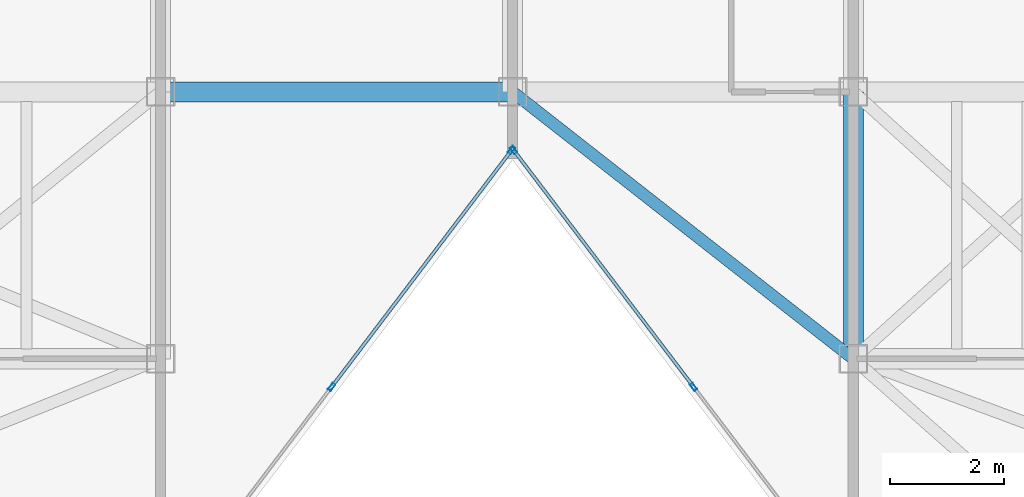
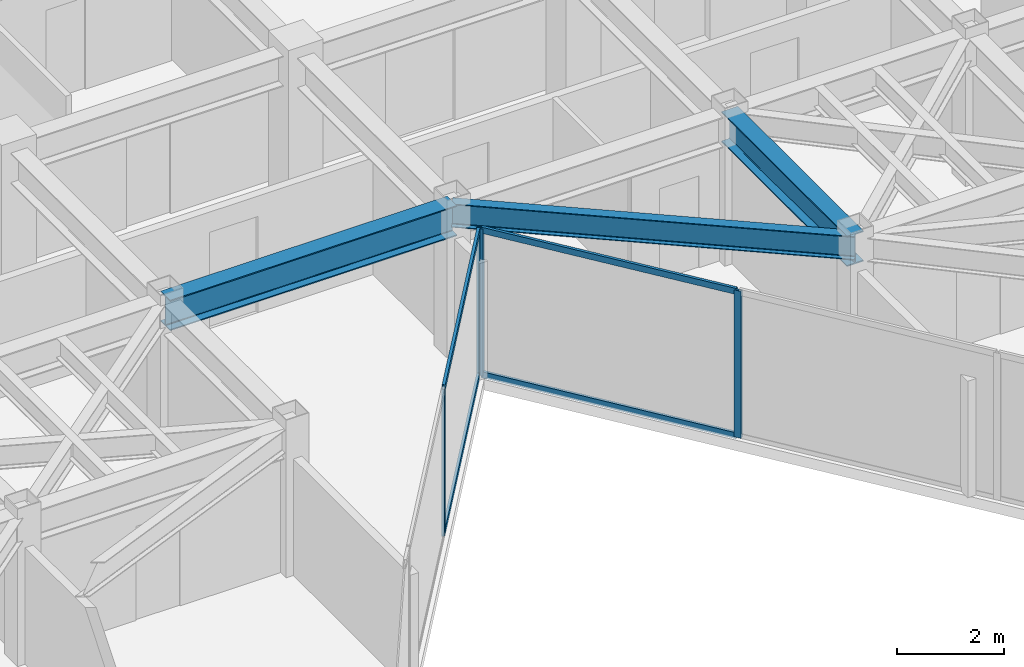
# One storey, part 8 of 20: 8 members, 3 beams, 2 elements without a shape of their own.
"""IFC4 building model written with IfcOpenShell, lengths in metres."""

import ifcopenshell
import ifcopenshell.guid

model = None  # the IFC model being written
_history = None  # IfcOwnerHistory: only IFC2X3 demands one
_inside = {}  # id of a spatial element -> (the spatial element, [elements in it])
_under = {}  # id of a project, library or spatial element -> (it, [spatial elements below it])
_declared = {}  # id of a project -> (the project, [libraries it declares])
_typed = {}  # id of a type object -> (the type object, [elements of that type])
_made_of = {}  # id of a material, layer set ... -> (it, [elements and type objects made of it])


def new_model(schema):
    """Start an empty IFC model of exactly this schema.

    Asked for "IFC4X3", IfcOpenShell would pick the latest addendum, in which some entities
    have other attributes; the version numbers below select the first issue.
    IFC2X3 requires an IfcOwnerHistory on every rooted entity: one is made here for all.
    """
    global model, _history
    if schema == "IFC4X3":
        model = ifcopenshell.file(schema_version=(4, 3, 0, 0))
    else:
        model = ifcopenshell.file(schema=schema)
    _inside.clear()
    _under.clear()
    _declared.clear()
    _typed.clear()
    _made_of.clear()
    _history = None
    if model.schema == "IFC2X3":
        org = make("IfcOrganization", Name="unknown")
        user = make(
            "IfcPersonAndOrganization",
            ThePerson=make("IfcPerson", FamilyName="unknown"),
            TheOrganization=org,
        )
        app = make(
            "IfcApplication",
            ApplicationDeveloper=org,
            Version="unknown",
            ApplicationFullName="unknown",
            ApplicationIdentifier="unknown",
        )
        _history = make(
            "IfcOwnerHistory",
            OwningUser=user,
            OwningApplication=app,
            ChangeAction="ADDED",
            CreationDate=0,
        )
    return model


def make(cls, **values):
    """One entity of the class cls with the attributes given. An attribute that is None is left unset."""
    return model.create_entity(
        cls, **{name: value for name, value in values.items() if value is not None}
    )


def rooted(cls, **values):
    """An entity with a GlobalId (a new one), such as an element, a storey or a relation."""
    return make(cls, GlobalId=ifcopenshell.guid.new(), OwnerHistory=_history, **values)


def si_unit(unit_type, name, prefix=None):
    """IfcSIUnit, for example si_unit("LENGTHUNIT", "METRE", prefix="MILLI")."""
    return make("IfcSIUnit", UnitType=unit_type, Prefix=prefix, Name=name)


def assignment(units):
    """IfcUnitAssignment: the units of a project."""
    return None if units is None else make("IfcUnitAssignment", Units=units)


def point(xyz):
    """IfcCartesianPoint."""
    return None if xyz is None else make("IfcCartesianPoint", Coordinates=xyz)


def direction(xyz):
    """IfcDirection."""
    return None if xyz is None else make("IfcDirection", DirectionRatios=xyz)


def frame(location, z_axis=None, x_axis=None):
    """IfcAxis2Placement3D, a coordinate frame: its origin and axes. An axis left out is left unset."""
    return make(
        "IfcAxis2Placement3D",
        Location=point(location),
        Axis=direction(z_axis),
        RefDirection=direction(x_axis),
    )


def frame_2d(location, x_axis=None):
    """IfcAxis2Placement2D, a coordinate frame in the plane: its origin and x axis."""
    return make(
        "IfcAxis2Placement2D", Location=point(location), RefDirection=direction(x_axis)
    )


def origin():
    """The frame at (0, 0, 0) with its axes left unset."""
    return frame((0.0, 0.0, 0.0))


def origin_2d():
    """The frame at (0, 0) in the plane with its x axis left unset."""
    return frame_2d((0.0, 0.0))


def place(relative_to, where):
    """IfcLocalPlacement: puts the frame where relative to a parent placement (None: the world)."""
    return make(
        "IfcLocalPlacement", PlacementRelTo=relative_to, RelativePlacement=where
    )


def context(
    kind, dimensions, precision=None, world=None, true_north=None, identifier=None
):
    """IfcGeometricRepresentationContext, for example the 3D "Model" context."""
    return make(
        "IfcGeometricRepresentationContext",
        ContextIdentifier=identifier,
        ContextType=kind,
        CoordinateSpaceDimension=dimensions,
        Precision=precision,
        WorldCoordinateSystem=world,
        TrueNorth=true_north,
    )


def subcontext(parent, identifier, kind, view, scale=None):
    """IfcGeometricRepresentationSubContext, for example "Body" below "Model"."""
    return make(
        "IfcGeometricRepresentationSubContext",
        ContextIdentifier=identifier,
        ContextType=kind,
        ParentContext=parent,
        TargetScale=scale,
        TargetView=view,
    )


def project(units=None, contexts=None):
    """IfcProject with its units and contexts."""
    return rooted(
        "IfcProject",
        Name="project",
        RepresentationContexts=contexts,
        UnitsInContext=assignment(units),
    )


def spatial(cls, under=None, at=None, **own):
    """A site, building, storey or space (cls), placed at a placement, below another one or the project."""
    s = rooted(cls, ObjectPlacement=at, **own)
    if under is not None:
        _under.setdefault(under.id(), (under, []))[1].append(s)
    return s


def profile(cls, at=None, kind="AREA", **sizes):
    """A parametric profile (cls). Its sizes go by their IFC names, for example OverallWidth=200.0."""
    return make(cls, ProfileType=kind, Position=at, **sizes)


def hollow_rectangle(**sizes):
    """IfcRectangleHollowProfileDef."""
    return profile("IfcRectangleHollowProfileDef", **sizes)


def i_section(**sizes):
    """IfcIShapeProfileDef."""
    return profile("IfcIShapeProfileDef", **sizes)


def extrude(swept, where, along, depth):
    """IfcExtrudedAreaSolid: the profile swept, set in the frame where, extruded along a direction by depth."""
    return make(
        "IfcExtrudedAreaSolid",
        SweptArea=swept,
        Position=where,
        ExtrudedDirection=direction(along),
        Depth=depth,
    )


def shape(context_of_items, identifier, shape_type, items):
    """IfcShapeRepresentation: the items that make up one representation, for example the "Body"."""
    return make(
        "IfcShapeRepresentation",
        ContextOfItems=context_of_items,
        RepresentationIdentifier=identifier,
        RepresentationType=shape_type,
        Items=items,
    )


def material(Name=None, Category=None):
    """IfcMaterial."""
    return make("IfcMaterial", Name=Name, Category=Category)


def layer(
    of_material, thickness, ventilated=None, Name=None, Category=None, Priority=None
):
    """IfcMaterialLayer: one layer of a wall or slab, of a material (None: an air gap)."""
    return make(
        "IfcMaterialLayer",
        Material=of_material,
        LayerThickness=thickness,
        IsVentilated=ventilated,
        Name=Name,
        Category=Category,
        Priority=Priority,
    )


def layer_set(layers, Name=None):
    """IfcMaterialLayerSet."""
    return make("IfcMaterialLayerSet", MaterialLayers=layers, LayerSetName=Name)


def material_profile(
    of_material, cross_section, Name=None, Category=None, Priority=None
):
    """IfcMaterialProfile: a cross section and its material."""
    return make(
        "IfcMaterialProfile",
        Name=Name,
        Material=of_material,
        Profile=cross_section,
        Priority=Priority,
        Category=Category,
    )


def profile_set(profiles, Name=None, composite=None):
    """IfcMaterialProfileSet."""
    return make(
        "IfcMaterialProfileSet",
        Name=Name,
        MaterialProfiles=profiles,
        CompositeProfile=composite,
    )


def made_of(thing, what):
    """Note that an element or type object is made of a material, layer set ...; save() writes the relation."""
    if what is not None:
        _made_of.setdefault(what.id(), (what, []))[1].append(thing)
    return thing


def type_object(cls, material=None, **own):
    """A type object (cls), such as IfcWallType, which elements share."""
    return made_of(rooted(cls, **own), material)


def element(
    cls,
    number,
    at=None,
    inside=None,
    cuts=None,
    type_object=None,
    material=None,
    context=None,
    identifier="Body",
    shape_type=None,
    held_by="IfcProductDefinitionShape",
    body=None,
    shapes=None,
    **own,
):
    """One element of the class cls, such as IfcWall. Its Tag is "e" and its number.

    at: its placement. inside: the storey or other place that contains it. cuts: it is an
    opening in that element (IfcRelVoidsElement). A single representation is given by context,
    identifier, shape_type and body (its items); several are given by shapes. held_by: the class
    of the entity that holds the representations. save() writes the other relations.
    """
    e = rooted(cls, Tag="e%d" % number, ObjectPlacement=at, **own)
    if body is not None:
        shapes = [shape(context, identifier, shape_type, body)]
    if shapes is not None:
        e.Representation = make(held_by, Representations=shapes)
    if inside is not None:
        _inside.setdefault(inside.id(), (inside, []))[1].append(e)
    if cuts is not None:
        rooted(
            "IfcRelVoidsElement", RelatingBuildingElement=cuts, RelatedOpeningElement=e
        )
    if type_object is not None:
        _typed.setdefault(type_object.id(), (type_object, []))[1].append(e)
    return made_of(e, material)


def aggregate(whole, parts):
    """IfcRelAggregates: a whole, such as a stair, and the parts it consists of."""
    return rooted("IfcRelAggregates", RelatingObject=whole, RelatedObjects=parts)


def save(model, path):
    """Write the relations noted so far, then the file.

    IfcRelAggregates (storeys below a building ...), IfcRelContainedInSpatialStructure (elements
    in a storey), IfcRelDefinesByType, IfcRelAssociatesMaterial and IfcRelDeclares: one each for
    every whole, place, type object, material and project.
    """
    for whole, parts in _under.values():
        aggregate(whole, parts)
    for where, things in _inside.values():
        rooted(
            "IfcRelContainedInSpatialStructure",
            RelatedElements=things,
            RelatingStructure=where,
        )
    for kind, things in _typed.values():
        rooted("IfcRelDefinesByType", RelatedObjects=things, RelatingType=kind)
    for what, things in _made_of.values():
        rooted("IfcRelAssociatesMaterial", RelatedObjects=things, RelatingMaterial=what)
    for by, libraries in _declared.values():
        rooted("IfcRelDeclares", RelatingContext=by, RelatedDefinitions=libraries)
    model.write(path)


model = new_model("IFC4")

# Units and contexts
model_context = context("Model", 3, precision=1e-05, world=origin(), true_north=direction((0.0, 1.0)))
body_context = subcontext(model_context, "Body", "Model", "MODEL_VIEW")
ifc_project = project(units=[si_unit("LENGTHUNIT", "METRE"), si_unit("AREAUNIT", "SQUARE_METRE"), si_unit("VOLUMEUNIT", "CUBIC_METRE"), si_unit("PLANEANGLEUNIT", "RADIAN"), si_unit("MASSUNIT", "GRAM", prefix="KILO")], contexts=[model_context])

# Site, building, storey
site_placement = place(None, origin())
site = spatial("IfcSite", under=ifc_project, at=site_placement, CompositionType="ELEMENT")
building_placement = place(site_placement, origin())
building = spatial("IfcBuilding", under=site, at=building_placement, Name="Kravanh Interchange Tower", CompositionType="ELEMENT")
storey_placement = place(building_placement, frame((0.0, 0.0, 252.60009765625)))
storey = spatial("IfcBuildingStorey", under=building, at=storey_placement, Name="L61", CompositionType="ELEMENT", Elevation=252.60009765625)

# Curtain wall, members
ifc_material_1 = material(Name="Anodised Bronze Aluminium", Category="aluminium")
ifc_layer = layer(ifc_material_1, 0.179931640625)
ifc_layer_set = layer_set([ifc_layer], Name="Unitised Curtain Wall System CW-HTL Luxury Hotel")
curtain_wall_type = type_object("IfcCurtainWallType", Name="Unitised Curtain Wall System CW-HTL Luxury Hotel", PredefinedType="NOTDEFINED", material=ifc_layer_set)
curtain_wall_1_placement = place(storey_placement, origin())
curtain_wall_1 = element("IfcCurtainWall", 1, at=curtain_wall_1_placement, inside=storey, type_object=curtain_wall_type, Name="L61 Unitised Curtain Wall CW-L61-04", PredefinedType="NOTDEFINED")
ifc_material_2 = material(Name="Anodised Bronze Aluminium", Category="aluminium")
ifc_material_profile_1 = material_profile(ifc_material_2, hollow_rectangle(XDim=0.06005859375, YDim=0.139892578125, WallThickness=0.00390625, at=origin_2d()), Name="ALU60X140X4")
ifc_profile_set_1 = profile_set([ifc_material_profile_1], Name="Anodised Bronze Aluminium")
member_type_1 = type_object("IfcMemberType", Name="Curtain Wall Mullion ALU60X140X4 Bronze", PredefinedType="MULLION", material=ifc_profile_set_1)
member_1_placement = place(storey_placement, frame((47.986572265625, 26.305419921875, 0.0), z_axis=(0.0, 0.0, 1.0), x_axis=(-0.79616243806, -0.605082946564, 0.0)))
member_1 = element("IfcMember", 2, at=member_1_placement, type_object=member_type_1, Name="CW-HTL mullion 3", PredefinedType="MULLION", context=body_context, shape_type="SweptSolid", body=[
    extrude(hollow_rectangle(XDim=0.06005859375, YDim=0.139892578125, WallThickness=0.00390625, at=origin_2d()), origin(), (0.0, 0.0, 1.0), 3.35986328125),
])
member_2_placement = place(storey_placement, frame((44.818115234375, 30.474365234375, 0.0), z_axis=(0.0, 0.0, 1.0), x_axis=(-0.79616243806, -0.605082946564, 0.0)))
member_2 = element("IfcMember", 3, at=member_2_placement, type_object=member_type_1, Name="CW-HTL mullion 4", PredefinedType="MULLION", context=body_context, shape_type="SweptSolid", body=[
    extrude(hollow_rectangle(XDim=0.06005859375, YDim=0.139892578125, WallThickness=0.00390625, at=origin_2d()), origin(), (0.0, 0.0, 1.0), 3.35986328125),
])

curtain_wall_2_placement = place(storey_placement, origin())
curtain_wall_2 = element("IfcCurtainWall", 4, at=curtain_wall_2_placement, inside=storey, type_object=curtain_wall_type, Name="L61 Unitised Curtain Wall CW-L61-05", PredefinedType="NOTDEFINED")
member_3_placement = place(storey_placement, frame((44.78173828125, 30.474365234375, 0.0), z_axis=(0.0, 0.0, 1.0), x_axis=(0.79616243806, -0.605082946564, 0.0)))
member_3 = element("IfcMember", 5, at=member_3_placement, type_object=member_type_1, Name="CW-HTL mullion 1", PredefinedType="MULLION", context=body_context, shape_type="SweptSolid", body=[
    extrude(hollow_rectangle(XDim=0.06005859375, YDim=0.139892578125, WallThickness=0.00390625, at=origin_2d()), origin(), (0.0, 0.0, 1.0), 3.35986328125),
])
member_4_placement = place(storey_placement, frame((41.613525390625, 26.305419921875, 0.0), z_axis=(0.0, 0.0, 1.0), x_axis=(0.79616243806, -0.605082946564, 0.0)))
member_4 = element("IfcMember", 6, at=member_4_placement, type_object=member_type_1, Name="CW-HTL mullion 2", PredefinedType="MULLION", context=body_context, shape_type="SweptSolid", body=[
    extrude(hollow_rectangle(XDim=0.06005859375, YDim=0.139892578125, WallThickness=0.00390625, at=origin_2d()), origin(), (0.0, 0.0, 1.0), 3.35986328125),
])

# Member
ifc_material_3 = material(Name="Anodised Bronze Aluminium", Category="aluminium")
ifc_material_profile_2 = material_profile(ifc_material_3, hollow_rectangle(XDim=0.06005859375, YDim=0.139892578125, WallThickness=0.00390625, at=origin_2d()), Name="ALU60X140X4")
ifc_profile_set_2 = profile_set([ifc_material_profile_2], Name="Anodised Bronze Aluminium")
member_type_2 = type_object("IfcMemberType", Name="Curtain Wall Transom ALU60X140X4 Bronze", PredefinedType="USERDEFINED", material=ifc_profile_set_2)
member_5_placement = place(storey_placement, frame((47.96826171875, 26.329345703125, 0.02978515625), z_axis=(-0.605059348861, 0.796180371747, 0.0), x_axis=(-0.796180371747, -0.605059348861, 0.0)))
member_5 = element("IfcMember", 7, at=member_5_placement, type_object=member_type_2, Name="CW-HTL transom 3.1", ObjectType="TRANSOM", PredefinedType="USERDEFINED", context=body_context, shape_type="SweptSolid", body=[
    extrude(hollow_rectangle(XDim=0.06005859375, YDim=0.139892578125, WallThickness=0.00390625, at=origin_2d()), origin(), (0.0, 0.0, 1.0), 5.176025390625),
])

member_6_placement = place(storey_placement, frame((47.96826171875, 26.329345703125, 3.329833984375), z_axis=(-0.605059348861, 0.796180371747, 0.0), x_axis=(-0.796180371747, -0.605059348861, 0.0)))
member_6 = element("IfcMember", 8, at=member_6_placement, type_object=member_type_2, Name="CW-HTL transom 3.2", ObjectType="TRANSOM", PredefinedType="USERDEFINED", context=body_context, shape_type="SweptSolid", body=[
    extrude(hollow_rectangle(XDim=0.06005859375, YDim=0.139892578125, WallThickness=0.00390625, at=origin_2d()), origin(), (0.0, 0.0, 1.0), 5.176025390625),
])

aggregate(curtain_wall_1, [member_1, member_2, member_5, member_6])

member_7_placement = place(storey_placement, frame((44.763671875, 30.450439453125, 0.02978515625), z_axis=(-0.605089246946, -0.796157649734, 0.0), x_axis=(0.796157649734, -0.605089246946, 0.0)))
member_7 = element("IfcMember", 9, at=member_7_placement, type_object=member_type_2, Name="CW-HTL transom 1.1", ObjectType="TRANSOM", PredefinedType="USERDEFINED", context=body_context, shape_type="SweptSolid", body=[
    extrude(hollow_rectangle(XDim=0.06005859375, YDim=0.139892578125, WallThickness=0.00390625, at=origin_2d()), origin(), (0.0, 0.0, 1.0), 5.17626953125),
])

member_8_placement = place(storey_placement, frame((44.763671875, 30.450439453125, 3.329833984375), z_axis=(-0.605089246946, -0.796157649734, 0.0), x_axis=(0.796157649734, -0.605089246946, 0.0)))
member_8 = element("IfcMember", 10, at=member_8_placement, type_object=member_type_2, Name="CW-HTL transom 1.2", ObjectType="TRANSOM", PredefinedType="USERDEFINED", context=body_context, shape_type="SweptSolid", body=[
    extrude(hollow_rectangle(XDim=0.06005859375, YDim=0.139892578125, WallThickness=0.00390625, at=origin_2d()), origin(), (0.0, 0.0, 1.0), 5.17626953125),
])

aggregate(curtain_wall_2, [member_3, member_4, member_7, member_8])

# Beams
ifc_material_4 = material(Name="Structural Steel S355", Category="steel")
ifc_material_profile_3 = material_profile(ifc_material_4, i_section(OverallWidth=0.35498046875, OverallDepth=0.696044921875, WebThickness=0.015380859375, FlangeThickness=0.02490234375, FilletRadius=0.02392578125, at=origin_2d()), Name="W27X146")
ifc_profile_set_3 = profile_set([ifc_material_profile_3], Name="Structural Steel S355")
beam_type_1 = type_object("IfcBeamType", Name="Floor Beam W27X146 Structural Steel S355", PredefinedType="BEAM", material=ifc_profile_set_3)
beam_1_placement = place(storey_placement, frame((44.800048828125, 31.5, 3.011962890625), z_axis=(-1.0, 0.0, 0.0), x_axis=(0.0, -1.0, 0.0)))
element("IfcBeam", 11, at=beam_1_placement, inside=storey, type_object=beam_type_1, Name="L61 Primary Floor Girder 3", PredefinedType="BEAM", context=body_context, shape_type="SweptSolid", body=[
    extrude(i_section(OverallWidth=0.35498046875, OverallDepth=0.696044921875, WebThickness=0.015380859375, FlangeThickness=0.02490234375, FilletRadius=0.02392578125, at=origin_2d()), origin(), (0.0, 0.0, 1.0), 6.199951171875),
])
beam_2_placement = place(storey_placement, frame((50.800048828125, 31.5, 3.011962890625), z_axis=(0.0, -1.0, 0.0), x_axis=(1.0, 0.0, 0.0)))
element("IfcBeam", 12, at=beam_2_placement, inside=storey, type_object=beam_type_1, Name="L61 Primary Floor Girder 5", PredefinedType="BEAM", context=body_context, shape_type="SweptSolid", body=[
    extrude(i_section(OverallWidth=0.35498046875, OverallDepth=0.696044921875, WebThickness=0.015380859375, FlangeThickness=0.02490234375, FilletRadius=0.02392578125, at=origin_2d()), origin(), (0.0, 0.0, 1.0), 4.699951171875),
])
ifc_material_5 = material(Name="Structural Steel S355", Category="steel")
ifc_material_profile_4 = material_profile(ifc_material_5, i_section(OverallWidth=0.2099609375, OverallDepth=0.537109375, WebThickness=0.010986328125, FlangeThickness=0.017333984375, FilletRadius=0.02001953125, at=origin_2d()), Name="W21X68")
ifc_profile_set_4 = profile_set([ifc_material_profile_4], Name="Structural Steel S355")
beam_type_2 = type_object("IfcBeamType", Name="Floor Spandrel W21X68 Structural Steel S355", PredefinedType="SPANDREL", material=ifc_profile_set_4)
beam_3_placement = place(storey_placement, frame((44.800048828125, 31.5, 3.09130859375), z_axis=(0.787231163579, -0.616658004967, 0.0), x_axis=(0.616658004967, 0.787231163579, 0.0)))
element("IfcBeam", 13, at=beam_3_placement, inside=storey, type_object=beam_type_2, Name="L61 Perimeter Spandrel 4", PredefinedType="SPANDREL", context=body_context, shape_type="SweptSolid", body=[
    extrude(i_section(OverallWidth=0.2099609375, OverallDepth=0.537109375, WebThickness=0.010986328125, FlangeThickness=0.017333984375, FilletRadius=0.02001953125, at=origin_2d()), origin(), (0.0, 0.0, 1.0), 7.62158203125),
])

save(model, "model.ifc")
